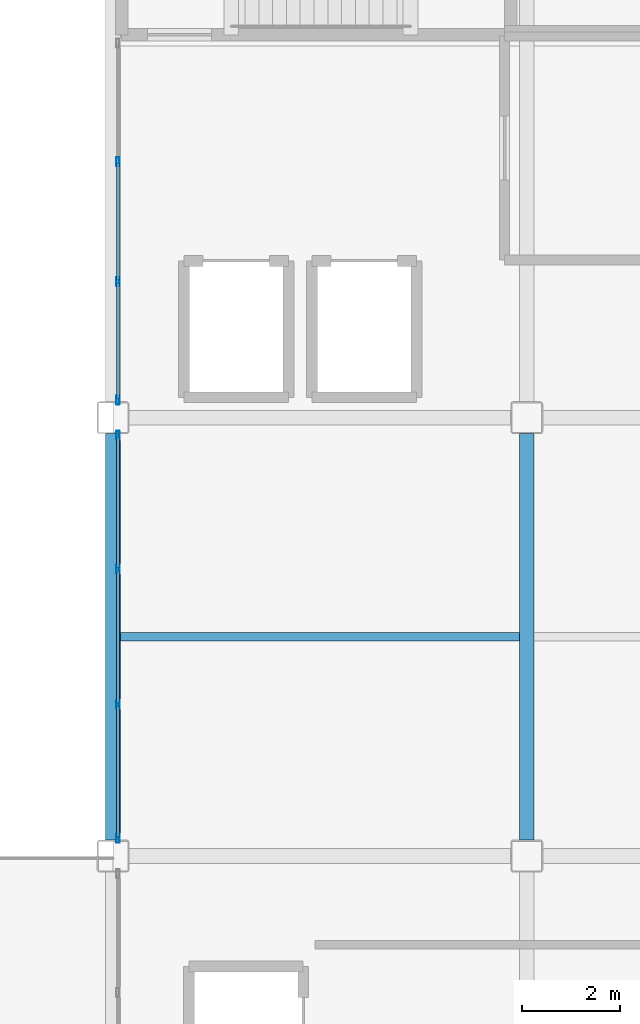
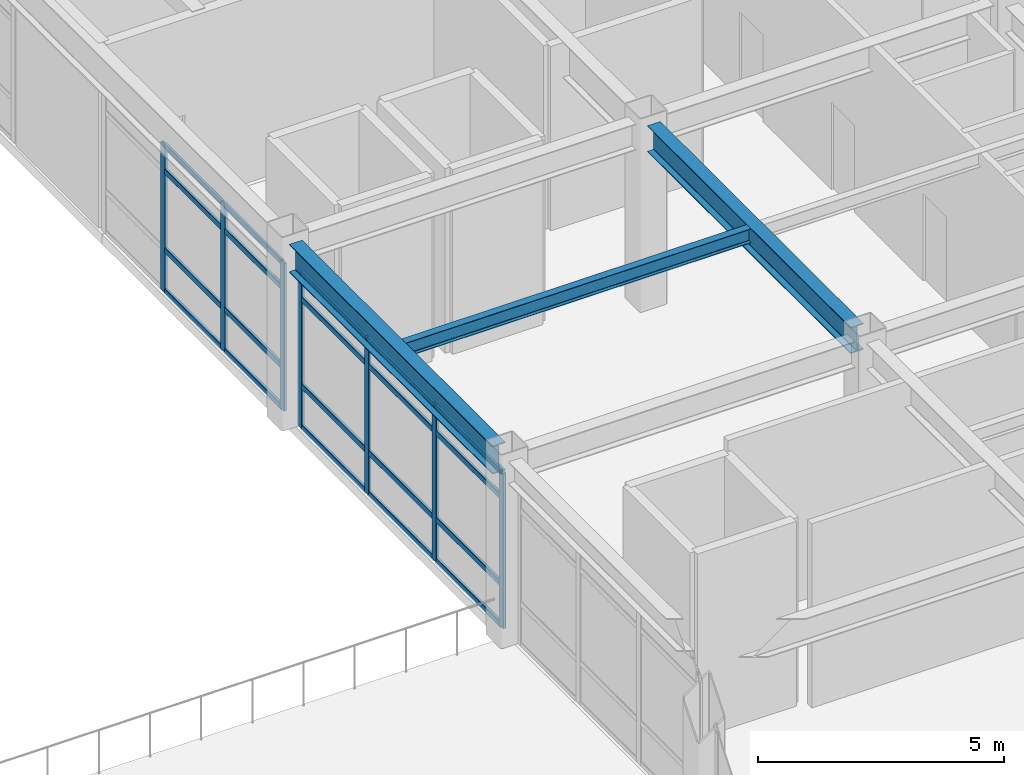
# One storey, part 25 of 61: 27 members, 3 beams, 2 elements without a shape of their own.
"""IFC4 building model written with IfcOpenShell, lengths in metres."""

from ifc_helpers import new_model, si_unit, direction, frame, origin, origin_2d, place, context, subcontext, project, spatial, hollow_rectangle, i_section, extrude, material, layer, layer_set, material_profile, profile_set, type_object, element, aggregate, save


model = new_model("IFC4")

# Units and contexts
model_context = context("Model", 3, precision=1e-05, world=origin(), true_north=direction((0.0, 1.0)))
body_context = subcontext(model_context, "Body", "Model", "MODEL_VIEW")
ifc_project = project(units=[si_unit("LENGTHUNIT", "METRE"), si_unit("AREAUNIT", "SQUARE_METRE"), si_unit("VOLUMEUNIT", "CUBIC_METRE"), si_unit("PLANEANGLEUNIT", "RADIAN"), si_unit("MASSUNIT", "GRAM", prefix="KILO")], contexts=[model_context])

# Site, building, storey
site_placement = place(None, origin())
site = spatial("IfcSite", under=ifc_project, at=site_placement, CompositionType="ELEMENT")
building_placement = place(site_placement, origin())
building = spatial("IfcBuilding", under=site, at=building_placement, Name="Kazehara Bluff Congress Hotel", CompositionType="ELEMENT")
storey_placement = place(building_placement, frame((0.0, 0.0, 19.800048828125)))
storey = spatial("IfcBuildingStorey", under=building, at=storey_placement, Name="L04", CompositionType="ELEMENT", Elevation=19.800048828125)

# Curtain wall, members
ifc_material_1 = material(Name="Anodised aluminium", Category="aluminium")
ifc_layer_1 = layer(ifc_material_1, 0.159912109375)
ifc_layer_set_1 = layer_set([ifc_layer_1], Name="Anodised aluminium")
curtain_wall_type_1 = type_object("IfcCurtainWallType", Name="TP-CW-167", PredefinedType="NOTDEFINED", material=ifc_layer_set_1)
curtain_wall_1_placement = place(storey_placement, origin())
curtain_wall_1 = element("IfcCurtainWall", 1, at=curtain_wall_1_placement, inside=storey, type_object=curtain_wall_type_1, Name="L04 curtain wall CW-167 CW-ENC-V5-L04-14380-3645", PredefinedType="NOTDEFINED")
ifc_material_2 = material(Name="Anodised aluminium", Category="aluminium")
ifc_material_profile_1 = material_profile(ifc_material_2, hollow_rectangle(XDim=0.06494140625, YDim=0.179931640625, WallThickness=0.00390625, InnerFilletRadius=0.00390625, OuterFilletRadius=0.008056640625, at=origin_2d()))
ifc_profile_set_1 = profile_set([ifc_material_profile_1], Name="Anodised aluminium")
member_type_1 = type_object("IfcMemberType", Name="TP-CWM-02", PredefinedType="MULLION", material=ifc_profile_set_1)
member_1_placement = place(storey_placement, frame((143.800048828125, 32.357421875, 0.0), z_axis=(0.0, 0.0, 1.0), x_axis=(-1.0, 0.0, 0.0)))
member_1 = element("IfcMember", 2, at=member_1_placement, type_object=member_type_1, Name="CW-167 mullion 1", PredefinedType="MULLION", context=body_context, shape_type="SweptSolid", body=[
    extrude(hollow_rectangle(XDim=0.06494140625, YDim=0.179931640625, WallThickness=0.00390625, InnerFilletRadius=0.00390625, OuterFilletRadius=0.008056640625, at=origin_2d()), origin(), (0.0, 0.0, 1.0), 3.85498046875),
])
member_2_placement = place(storey_placement, frame((143.800048828125, 35.074951171875, 0.0), z_axis=(0.0, 0.0, 1.0), x_axis=(-1.0, 0.0, 0.0)))
member_2 = element("IfcMember", 3, at=member_2_placement, type_object=member_type_1, Name="CW-167 mullion 2", PredefinedType="MULLION", context=body_context, shape_type="SweptSolid", body=[
    extrude(hollow_rectangle(XDim=0.06494140625, YDim=0.179931640625, WallThickness=0.00390625, InnerFilletRadius=0.00390625, OuterFilletRadius=0.008056640625, at=origin_2d()), origin(), (0.0, 0.0, 1.0), 3.85498046875),
])
member_3_placement = place(storey_placement, frame((143.800048828125, 37.824951171875, 0.0), z_axis=(0.0, 0.0, 1.0), x_axis=(-1.0, 0.0, 0.0)))
member_3 = element("IfcMember", 4, at=member_3_placement, type_object=member_type_1, Name="CW-167 mullion 3", PredefinedType="MULLION", context=body_context, shape_type="SweptSolid", body=[
    extrude(hollow_rectangle(XDim=0.06494140625, YDim=0.179931640625, WallThickness=0.00390625, InnerFilletRadius=0.00390625, OuterFilletRadius=0.008056640625, at=origin_2d()), origin(), (0.0, 0.0, 1.0), 3.85498046875),
])
member_4_placement = place(storey_placement, frame((143.800048828125, 40.54248046875, 0.0), z_axis=(0.0, 0.0, 1.0), x_axis=(-1.0, 0.0, 0.0)))
member_4 = element("IfcMember", 5, at=member_4_placement, type_object=member_type_1, Name="CW-167 mullion 4", PredefinedType="MULLION", context=body_context, shape_type="SweptSolid", body=[
    extrude(hollow_rectangle(XDim=0.06494140625, YDim=0.179931640625, WallThickness=0.00390625, InnerFilletRadius=0.00390625, OuterFilletRadius=0.008056640625, at=origin_2d()), origin(), (0.0, 0.0, 1.0), 3.85498046875),
])

ifc_material_3 = material(Name="Anodised aluminium", Category="aluminium")
ifc_layer_2 = layer(ifc_material_3, 0.159912109375)
ifc_layer_set_2 = layer_set([ifc_layer_2], Name="Anodised aluminium")
curtain_wall_type_2 = type_object("IfcCurtainWallType", Name="TP-CW-168", PredefinedType="NOTDEFINED", material=ifc_layer_set_2)
curtain_wall_2_placement = place(storey_placement, origin())
curtain_wall_2 = element("IfcCurtainWall", 6, at=curtain_wall_2_placement, inside=storey, type_object=curtain_wall_type_2, Name="L04 curtain wall CW-168 CW-ENC-V5-L04-14380-4488", PredefinedType="NOTDEFINED")
member_5_placement = place(storey_placement, frame((143.800048828125, 41.257568359375, 0.0), z_axis=(0.0, 0.0, 1.0), x_axis=(-1.0, 0.0, 0.0)))
member_5 = element("IfcMember", 7, at=member_5_placement, type_object=member_type_1, Name="CW-168 mullion 1", PredefinedType="MULLION", context=body_context, shape_type="SweptSolid", body=[
    extrude(hollow_rectangle(XDim=0.06494140625, YDim=0.179931640625, WallThickness=0.00390625, InnerFilletRadius=0.00390625, OuterFilletRadius=0.008056640625, at=origin_2d()), origin(), (0.0, 0.0, 1.0), 3.655029296875),
])
member_6_placement = place(storey_placement, frame((143.800048828125, 43.663330078125, 0.0), z_axis=(0.0, 0.0, 1.0), x_axis=(-1.0, 0.0, 0.0)))
member_6 = element("IfcMember", 8, at=member_6_placement, type_object=member_type_1, Name="CW-168 mullion 2", PredefinedType="MULLION", context=body_context, shape_type="SweptSolid", body=[
    extrude(hollow_rectangle(XDim=0.06494140625, YDim=0.179931640625, WallThickness=0.00390625, InnerFilletRadius=0.00390625, OuterFilletRadius=0.008056640625, at=origin_2d()), origin(), (0.0, 0.0, 1.0), 3.655029296875),
])
member_7_placement = place(storey_placement, frame((143.800048828125, 46.1015625, 0.0), z_axis=(0.0, 0.0, 1.0), x_axis=(-1.0, 0.0, 0.0)))
member_7 = element("IfcMember", 9, at=member_7_placement, type_object=member_type_1, Name="CW-168 mullion 3", PredefinedType="MULLION", context=body_context, shape_type="SweptSolid", body=[
    extrude(hollow_rectangle(XDim=0.06494140625, YDim=0.179931640625, WallThickness=0.00390625, InnerFilletRadius=0.00390625, OuterFilletRadius=0.008056640625, at=origin_2d()), origin(), (0.0, 0.0, 1.0), 3.655029296875),
])

# Member
ifc_material_4 = material(Name="Anodised aluminium", Category="aluminium")
ifc_material_profile_2 = material_profile(ifc_material_4, hollow_rectangle(XDim=0.06494140625, YDim=0.139892578125, WallThickness=0.00390625, InnerFilletRadius=0.00390625, OuterFilletRadius=0.008056640625, at=origin_2d()))
ifc_profile_set_2 = profile_set([ifc_material_profile_2], Name="Anodised aluminium")
member_type_2 = type_object("IfcMemberType", Name="TP-CWT-02", PredefinedType="USERDEFINED", material=ifc_profile_set_2)
member_8_placement = place(storey_placement, frame((143.800048828125, 32.389892578125, 0.032470703125), z_axis=(0.0, 1.0, 0.0), x_axis=(-1.0, 0.0, 0.0)))
member_8 = element("IfcMember", 10, at=member_8_placement, type_object=member_type_2, Name="CW-167 transom 1.1", ObjectType="TRANSOM", PredefinedType="USERDEFINED", context=body_context, shape_type="SweptSolid", body=[
    extrude(hollow_rectangle(XDim=0.06494140625, YDim=0.139892578125, WallThickness=0.00390625, InnerFilletRadius=0.00390625, OuterFilletRadius=0.008056640625, at=origin_2d()), origin(), (0.0, 0.0, 1.0), 2.652587890625),
])

member_9_placement = place(storey_placement, frame((143.800048828125, 32.389892578125, 1.050048828125), z_axis=(0.0, 1.0, 0.0), x_axis=(-1.0, 0.0, 0.0)))
member_9 = element("IfcMember", 11, at=member_9_placement, type_object=member_type_2, Name="CW-167 transom 1.2", ObjectType="TRANSOM", PredefinedType="USERDEFINED", context=body_context, shape_type="SweptSolid", body=[
    extrude(hollow_rectangle(XDim=0.06494140625, YDim=0.139892578125, WallThickness=0.00390625, InnerFilletRadius=0.00390625, OuterFilletRadius=0.008056640625, at=origin_2d()), origin(), (0.0, 0.0, 1.0), 2.652587890625),
])

member_10_placement = place(storey_placement, frame((143.800048828125, 32.389892578125, 3.204833984375), z_axis=(0.0, 1.0, 0.0), x_axis=(-1.0, 0.0, 0.0)))
member_10 = element("IfcMember", 12, at=member_10_placement, type_object=member_type_2, Name="CW-167 transom 1.3", ObjectType="TRANSOM", PredefinedType="USERDEFINED", context=body_context, shape_type="SweptSolid", body=[
    extrude(hollow_rectangle(XDim=0.06494140625, YDim=0.139892578125, WallThickness=0.00390625, InnerFilletRadius=0.00390625, OuterFilletRadius=0.008056640625, at=origin_2d()), origin(), (0.0, 0.0, 1.0), 2.652587890625),
])

member_11_placement = place(storey_placement, frame((143.800048828125, 32.389892578125, 3.822509765625), z_axis=(0.0, 1.0, 0.0), x_axis=(-1.0, 0.0, 0.0)))
member_11 = element("IfcMember", 13, at=member_11_placement, type_object=member_type_2, Name="CW-167 transom 1.4", ObjectType="TRANSOM", PredefinedType="USERDEFINED", context=body_context, shape_type="SweptSolid", body=[
    extrude(hollow_rectangle(XDim=0.06494140625, YDim=0.139892578125, WallThickness=0.00390625, InnerFilletRadius=0.00390625, OuterFilletRadius=0.008056640625, at=origin_2d()), origin(), (0.0, 0.0, 1.0), 2.652587890625),
])

member_12_placement = place(storey_placement, frame((143.800048828125, 35.107421875, 0.032470703125), z_axis=(0.0, 1.0, 0.0), x_axis=(-1.0, 0.0, 0.0)))
member_12 = element("IfcMember", 14, at=member_12_placement, type_object=member_type_2, Name="CW-167 transom 2.1", ObjectType="TRANSOM", PredefinedType="USERDEFINED", context=body_context, shape_type="SweptSolid", body=[
    extrude(hollow_rectangle(XDim=0.06494140625, YDim=0.139892578125, WallThickness=0.00390625, InnerFilletRadius=0.00390625, OuterFilletRadius=0.008056640625, at=origin_2d()), origin(), (0.0, 0.0, 1.0), 2.68505859375),
])

member_13_placement = place(storey_placement, frame((143.800048828125, 35.107421875, 1.050048828125), z_axis=(0.0, 1.0, 0.0), x_axis=(-1.0, 0.0, 0.0)))
member_13 = element("IfcMember", 15, at=member_13_placement, type_object=member_type_2, Name="CW-167 transom 2.2", ObjectType="TRANSOM", PredefinedType="USERDEFINED", context=body_context, shape_type="SweptSolid", body=[
    extrude(hollow_rectangle(XDim=0.06494140625, YDim=0.139892578125, WallThickness=0.00390625, InnerFilletRadius=0.00390625, OuterFilletRadius=0.008056640625, at=origin_2d()), origin(), (0.0, 0.0, 1.0), 2.68505859375),
])

member_14_placement = place(storey_placement, frame((143.800048828125, 35.107421875, 3.204833984375), z_axis=(0.0, 1.0, 0.0), x_axis=(-1.0, 0.0, 0.0)))
member_14 = element("IfcMember", 16, at=member_14_placement, type_object=member_type_2, Name="CW-167 transom 2.3", ObjectType="TRANSOM", PredefinedType="USERDEFINED", context=body_context, shape_type="SweptSolid", body=[
    extrude(hollow_rectangle(XDim=0.06494140625, YDim=0.139892578125, WallThickness=0.00390625, InnerFilletRadius=0.00390625, OuterFilletRadius=0.008056640625, at=origin_2d()), origin(), (0.0, 0.0, 1.0), 2.68505859375),
])

member_15_placement = place(storey_placement, frame((143.800048828125, 35.107421875, 3.822509765625), z_axis=(0.0, 1.0, 0.0), x_axis=(-1.0, 0.0, 0.0)))
member_15 = element("IfcMember", 17, at=member_15_placement, type_object=member_type_2, Name="CW-167 transom 2.4", ObjectType="TRANSOM", PredefinedType="USERDEFINED", context=body_context, shape_type="SweptSolid", body=[
    extrude(hollow_rectangle(XDim=0.06494140625, YDim=0.139892578125, WallThickness=0.00390625, InnerFilletRadius=0.00390625, OuterFilletRadius=0.008056640625, at=origin_2d()), origin(), (0.0, 0.0, 1.0), 2.68505859375),
])

member_16_placement = place(storey_placement, frame((143.800048828125, 37.857421875, 0.032470703125), z_axis=(0.0, 1.0, 0.0), x_axis=(-1.0, 0.0, 0.0)))
member_16 = element("IfcMember", 18, at=member_16_placement, type_object=member_type_2, Name="CW-167 transom 3.1", ObjectType="TRANSOM", PredefinedType="USERDEFINED", context=body_context, shape_type="SweptSolid", body=[
    extrude(hollow_rectangle(XDim=0.06494140625, YDim=0.139892578125, WallThickness=0.00390625, InnerFilletRadius=0.00390625, OuterFilletRadius=0.008056640625, at=origin_2d()), origin(), (0.0, 0.0, 1.0), 2.652587890625),
])

member_17_placement = place(storey_placement, frame((143.800048828125, 37.857421875, 1.050048828125), z_axis=(0.0, 1.0, 0.0), x_axis=(-1.0, 0.0, 0.0)))
member_17 = element("IfcMember", 19, at=member_17_placement, type_object=member_type_2, Name="CW-167 transom 3.2", ObjectType="TRANSOM", PredefinedType="USERDEFINED", context=body_context, shape_type="SweptSolid", body=[
    extrude(hollow_rectangle(XDim=0.06494140625, YDim=0.139892578125, WallThickness=0.00390625, InnerFilletRadius=0.00390625, OuterFilletRadius=0.008056640625, at=origin_2d()), origin(), (0.0, 0.0, 1.0), 2.652587890625),
])

member_18_placement = place(storey_placement, frame((143.800048828125, 37.857421875, 3.204833984375), z_axis=(0.0, 1.0, 0.0), x_axis=(-1.0, 0.0, 0.0)))
member_18 = element("IfcMember", 20, at=member_18_placement, type_object=member_type_2, Name="CW-167 transom 3.3", ObjectType="TRANSOM", PredefinedType="USERDEFINED", context=body_context, shape_type="SweptSolid", body=[
    extrude(hollow_rectangle(XDim=0.06494140625, YDim=0.139892578125, WallThickness=0.00390625, InnerFilletRadius=0.00390625, OuterFilletRadius=0.008056640625, at=origin_2d()), origin(), (0.0, 0.0, 1.0), 2.652587890625),
])

member_19_placement = place(storey_placement, frame((143.800048828125, 37.857421875, 3.822509765625), z_axis=(0.0, 1.0, 0.0), x_axis=(-1.0, 0.0, 0.0)))
member_19 = element("IfcMember", 21, at=member_19_placement, type_object=member_type_2, Name="CW-167 transom 3.4", ObjectType="TRANSOM", PredefinedType="USERDEFINED", context=body_context, shape_type="SweptSolid", body=[
    extrude(hollow_rectangle(XDim=0.06494140625, YDim=0.139892578125, WallThickness=0.00390625, InnerFilletRadius=0.00390625, OuterFilletRadius=0.008056640625, at=origin_2d()), origin(), (0.0, 0.0, 1.0), 2.652587890625),
])

aggregate(curtain_wall_1, [member_1, member_2, member_3, member_4, member_8, member_9, member_10, member_11, member_12, member_13, member_14, member_15, member_16, member_17, member_18, member_19])

member_20_placement = place(storey_placement, frame((143.800048828125, 41.2900390625, 0.032470703125), z_axis=(0.0, 1.0, 0.0), x_axis=(-1.0, 0.0, 0.0)))
member_20 = element("IfcMember", 22, at=member_20_placement, type_object=member_type_2, Name="CW-168 transom 1.1", ObjectType="TRANSOM", PredefinedType="USERDEFINED", context=body_context, shape_type="SweptSolid", body=[
    extrude(hollow_rectangle(XDim=0.06494140625, YDim=0.139892578125, WallThickness=0.00390625, InnerFilletRadius=0.00390625, OuterFilletRadius=0.008056640625, at=origin_2d()), origin(), (0.0, 0.0, 1.0), 2.3408203125),
])

member_21_placement = place(storey_placement, frame((143.800048828125, 41.2900390625, 1.050048828125), z_axis=(0.0, 1.0, 0.0), x_axis=(-1.0, 0.0, 0.0)))
member_21 = element("IfcMember", 23, at=member_21_placement, type_object=member_type_2, Name="CW-168 transom 1.2", ObjectType="TRANSOM", PredefinedType="USERDEFINED", context=body_context, shape_type="SweptSolid", body=[
    extrude(hollow_rectangle(XDim=0.06494140625, YDim=0.139892578125, WallThickness=0.00390625, InnerFilletRadius=0.00390625, OuterFilletRadius=0.008056640625, at=origin_2d()), origin(), (0.0, 0.0, 1.0), 2.3408203125),
])

member_22_placement = place(storey_placement, frame((143.800048828125, 41.2900390625, 3.0048828125), z_axis=(0.0, 1.0, 0.0), x_axis=(-1.0, 0.0, 0.0)))
member_22 = element("IfcMember", 24, at=member_22_placement, type_object=member_type_2, Name="CW-168 transom 1.3", ObjectType="TRANSOM", PredefinedType="USERDEFINED", context=body_context, shape_type="SweptSolid", body=[
    extrude(hollow_rectangle(XDim=0.06494140625, YDim=0.139892578125, WallThickness=0.00390625, InnerFilletRadius=0.00390625, OuterFilletRadius=0.008056640625, at=origin_2d()), origin(), (0.0, 0.0, 1.0), 2.3408203125),
])

member_23_placement = place(storey_placement, frame((143.800048828125, 41.2900390625, 3.62255859375), z_axis=(0.0, 1.0, 0.0), x_axis=(-1.0, 0.0, 0.0)))
member_23 = element("IfcMember", 25, at=member_23_placement, type_object=member_type_2, Name="CW-168 transom 1.4", ObjectType="TRANSOM", PredefinedType="USERDEFINED", context=body_context, shape_type="SweptSolid", body=[
    extrude(hollow_rectangle(XDim=0.06494140625, YDim=0.139892578125, WallThickness=0.00390625, InnerFilletRadius=0.00390625, OuterFilletRadius=0.008056640625, at=origin_2d()), origin(), (0.0, 0.0, 1.0), 2.3408203125),
])

member_24_placement = place(storey_placement, frame((143.800048828125, 43.69580078125, 0.032470703125), z_axis=(0.0, 1.0, 0.0), x_axis=(-1.0, 0.0, 0.0)))
member_24 = element("IfcMember", 26, at=member_24_placement, type_object=member_type_2, Name="CW-168 transom 2.1", ObjectType="TRANSOM", PredefinedType="USERDEFINED", context=body_context, shape_type="SweptSolid", body=[
    extrude(hollow_rectangle(XDim=0.06494140625, YDim=0.139892578125, WallThickness=0.00390625, InnerFilletRadius=0.00390625, OuterFilletRadius=0.008056640625, at=origin_2d()), origin(), (0.0, 0.0, 1.0), 2.373291015625),
])

member_25_placement = place(storey_placement, frame((143.800048828125, 43.69580078125, 1.050048828125), z_axis=(0.0, 1.0, 0.0), x_axis=(-1.0, 0.0, 0.0)))
member_25 = element("IfcMember", 27, at=member_25_placement, type_object=member_type_2, Name="CW-168 transom 2.2", ObjectType="TRANSOM", PredefinedType="USERDEFINED", context=body_context, shape_type="SweptSolid", body=[
    extrude(hollow_rectangle(XDim=0.06494140625, YDim=0.139892578125, WallThickness=0.00390625, InnerFilletRadius=0.00390625, OuterFilletRadius=0.008056640625, at=origin_2d()), origin(), (0.0, 0.0, 1.0), 2.373291015625),
])

member_26_placement = place(storey_placement, frame((143.800048828125, 43.69580078125, 3.0048828125), z_axis=(0.0, 1.0, 0.0), x_axis=(-1.0, 0.0, 0.0)))
member_26 = element("IfcMember", 28, at=member_26_placement, type_object=member_type_2, Name="CW-168 transom 2.3", ObjectType="TRANSOM", PredefinedType="USERDEFINED", context=body_context, shape_type="SweptSolid", body=[
    extrude(hollow_rectangle(XDim=0.06494140625, YDim=0.139892578125, WallThickness=0.00390625, InnerFilletRadius=0.00390625, OuterFilletRadius=0.008056640625, at=origin_2d()), origin(), (0.0, 0.0, 1.0), 2.373291015625),
])

member_27_placement = place(storey_placement, frame((143.800048828125, 43.69580078125, 3.62255859375), z_axis=(0.0, 1.0, 0.0), x_axis=(-1.0, 0.0, 0.0)))
member_27 = element("IfcMember", 29, at=member_27_placement, type_object=member_type_2, Name="CW-168 transom 2.4", ObjectType="TRANSOM", PredefinedType="USERDEFINED", context=body_context, shape_type="SweptSolid", body=[
    extrude(hollow_rectangle(XDim=0.06494140625, YDim=0.139892578125, WallThickness=0.00390625, InnerFilletRadius=0.00390625, OuterFilletRadius=0.008056640625, at=origin_2d()), origin(), (0.0, 0.0, 1.0), 2.373291015625),
])

aggregate(curtain_wall_2, [member_5, member_6, member_7, member_20, member_21, member_22, member_23, member_24, member_25, member_26, member_27])

# Beams
ifc_material_5 = material(Name="Steel SN490B", Category="steel")
ifc_material_profile_3 = material_profile(ifc_material_5, i_section(OverallWidth=0.300048828125, OverallDepth=0.64990234375, WebThickness=0.011962890625, FlangeThickness=0.02001953125, FilletRadius=0.012939453125, at=origin_2d()))
ifc_profile_set_3 = profile_set([ifc_material_profile_3], Name="Steel SN490B")
beam_type_1 = type_object("IfcBeamType", Name="TP-G-03", PredefinedType="BEAM", material=ifc_profile_set_3)
beam_1_placement = place(storey_placement, frame((152.10009765625, 32.324951171875, 4.2548828125), z_axis=(0.0, 1.0, 0.0), x_axis=(-1.0, 0.0, 0.0)))
element("IfcBeam", 30, at=beam_1_placement, inside=storey, type_object=beam_type_1, Name="L04 girder G-03 48", PredefinedType="BEAM", context=body_context, shape_type="SweptSolid", body=[
    extrude(i_section(OverallWidth=0.300048828125, OverallDepth=0.64990234375, WebThickness=0.011962890625, FlangeThickness=0.02001953125, FilletRadius=0.012939453125, at=origin_2d()), origin(), (0.0, 0.0, 1.0), 8.25),
])
ifc_material_6 = material(Name="Steel SN400B", Category="steel")
ifc_material_profile_4 = material_profile(ifc_material_6, i_section(OverallWidth=0.175048828125, OverallDepth=0.35009765625, WebThickness=0.007080078125, FlangeThickness=0.010986328125, FilletRadius=0.012939453125, at=origin_2d()))
ifc_profile_set_4 = profile_set([ifc_material_profile_4], Name="Steel SN400B")
beam_type_2 = type_object("IfcBeamType", Name="TP-J-02", PredefinedType="JOIST", material=ifc_profile_set_4)
beam_2_placement = place(storey_placement, frame((143.85009765625, 36.449951171875, 4.405029296875), z_axis=(1.0, 0.0, 0.0), x_axis=(0.0, 1.0, 0.0)))
element("IfcBeam", 31, at=beam_2_placement, inside=storey, type_object=beam_type_2, Name="L04 secondary joist J-02 14", PredefinedType="JOIST", context=body_context, shape_type="SweptSolid", body=[
    extrude(i_section(OverallWidth=0.175048828125, OverallDepth=0.35009765625, WebThickness=0.007080078125, FlangeThickness=0.010986328125, FilletRadius=0.012939453125, at=origin_2d()), origin(), (0.0, 0.0, 1.0), 8.099853515625),
])
ifc_material_7 = material(Name="Steel SN490B", Category="steel")
ifc_material_profile_5 = material_profile(ifc_material_7, i_section(OverallWidth=0.300048828125, OverallDepth=0.699951171875, WebThickness=0.012939453125, FlangeThickness=0.02392578125, FilletRadius=0.01806640625, at=origin_2d()))
ifc_profile_set_5 = profile_set([ifc_material_profile_5], Name="Steel SN490B")
beam_type_3 = type_object("IfcBeamType", Name="TP-SP-03", PredefinedType="SPANDREL", material=ifc_profile_set_5)
beam_3_placement = place(storey_placement, frame((143.699951171875, 32.324951171875, 4.22998046875), z_axis=(0.0, 1.0, 0.0), x_axis=(-1.0, 0.0, 0.0)))
element("IfcBeam", 32, at=beam_3_placement, inside=storey, type_object=beam_type_3, Name="L04 girder SP-03 35", PredefinedType="SPANDREL", context=body_context, shape_type="SweptSolid", body=[
    extrude(i_section(OverallWidth=0.300048828125, OverallDepth=0.699951171875, WebThickness=0.012939453125, FlangeThickness=0.02392578125, FilletRadius=0.01806640625, at=origin_2d()), origin(), (0.0, 0.0, 1.0), 8.25),
])

save(model, "model.ifc")
